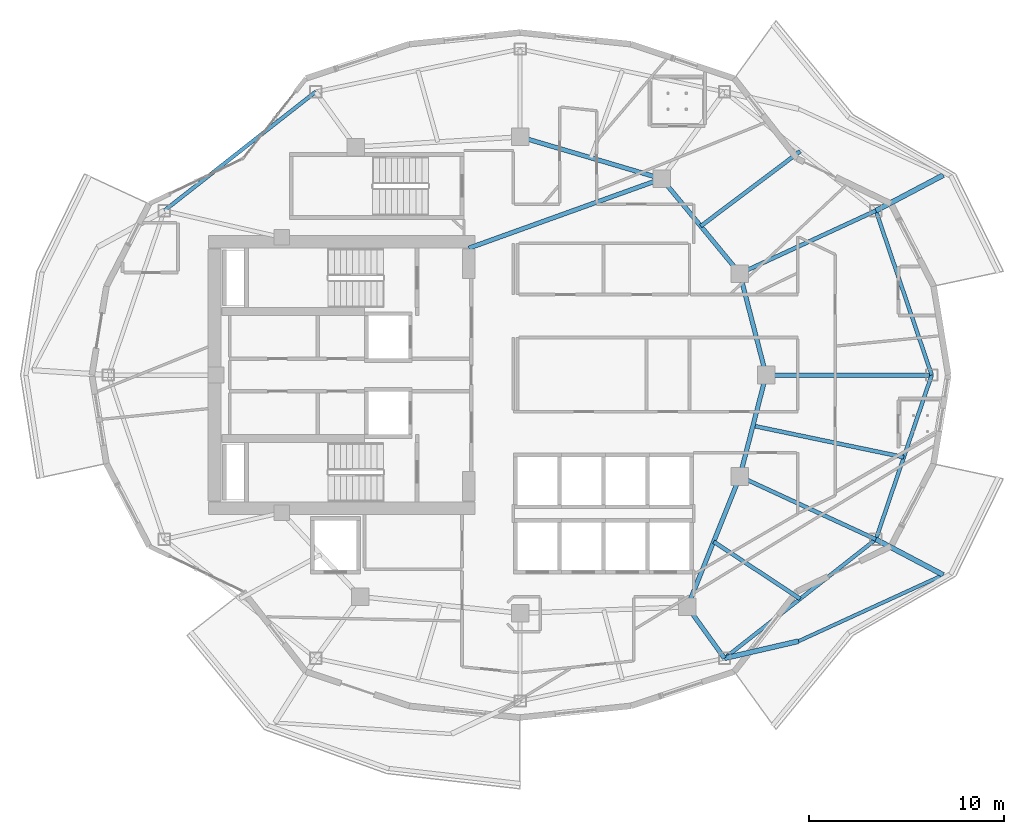
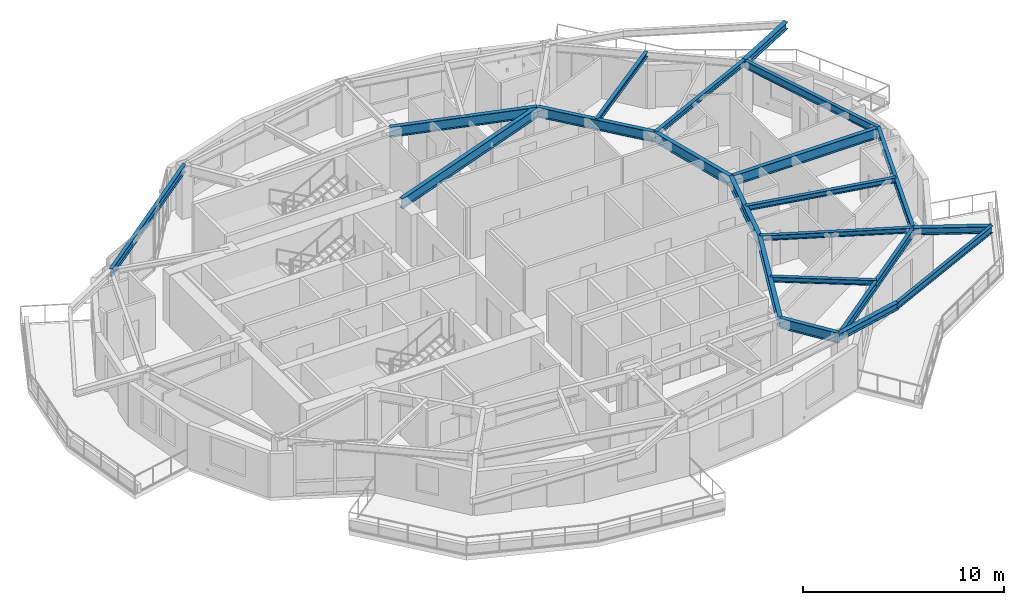
# One storey, part 4 of 16: 21 beams.
"""IFC4 building model written with IfcOpenShell, lengths in metres."""

import ifcopenshell
import ifcopenshell.guid

model = None  # the IFC model being written
_history = None  # IfcOwnerHistory: only IFC2X3 demands one
_inside = {}  # id of a spatial element -> (the spatial element, [elements in it])
_under = {}  # id of a project, library or spatial element -> (it, [spatial elements below it])
_declared = {}  # id of a project -> (the project, [libraries it declares])
_typed = {}  # id of a type object -> (the type object, [elements of that type])
_made_of = {}  # id of a material, layer set ... -> (it, [elements and type objects made of it])


def new_model(schema):
    """Start an empty IFC model of exactly this schema.

    Asked for "IFC4X3", IfcOpenShell would pick the latest addendum, in which some entities
    have other attributes; the version numbers below select the first issue.
    IFC2X3 requires an IfcOwnerHistory on every rooted entity: one is made here for all.
    """
    global model, _history
    if schema == "IFC4X3":
        model = ifcopenshell.file(schema_version=(4, 3, 0, 0))
    else:
        model = ifcopenshell.file(schema=schema)
    _inside.clear()
    _under.clear()
    _declared.clear()
    _typed.clear()
    _made_of.clear()
    _history = None
    if model.schema == "IFC2X3":
        org = make("IfcOrganization", Name="unknown")
        user = make(
            "IfcPersonAndOrganization",
            ThePerson=make("IfcPerson", FamilyName="unknown"),
            TheOrganization=org,
        )
        app = make(
            "IfcApplication",
            ApplicationDeveloper=org,
            Version="unknown",
            ApplicationFullName="unknown",
            ApplicationIdentifier="unknown",
        )
        _history = make(
            "IfcOwnerHistory",
            OwningUser=user,
            OwningApplication=app,
            ChangeAction="ADDED",
            CreationDate=0,
        )
    return model


def make(cls, **values):
    """One entity of the class cls with the attributes given. An attribute that is None is left unset."""
    return model.create_entity(
        cls, **{name: value for name, value in values.items() if value is not None}
    )


def rooted(cls, **values):
    """An entity with a GlobalId (a new one), such as an element, a storey or a relation."""
    return make(cls, GlobalId=ifcopenshell.guid.new(), OwnerHistory=_history, **values)


def si_unit(unit_type, name, prefix=None):
    """IfcSIUnit, for example si_unit("LENGTHUNIT", "METRE", prefix="MILLI")."""
    return make("IfcSIUnit", UnitType=unit_type, Prefix=prefix, Name=name)


def assignment(units):
    """IfcUnitAssignment: the units of a project."""
    return None if units is None else make("IfcUnitAssignment", Units=units)


def point(xyz):
    """IfcCartesianPoint."""
    return None if xyz is None else make("IfcCartesianPoint", Coordinates=xyz)


def direction(xyz):
    """IfcDirection."""
    return None if xyz is None else make("IfcDirection", DirectionRatios=xyz)


def frame(location, z_axis=None, x_axis=None):
    """IfcAxis2Placement3D, a coordinate frame: its origin and axes. An axis left out is left unset."""
    return make(
        "IfcAxis2Placement3D",
        Location=point(location),
        Axis=direction(z_axis),
        RefDirection=direction(x_axis),
    )


def frame_2d(location, x_axis=None):
    """IfcAxis2Placement2D, a coordinate frame in the plane: its origin and x axis."""
    return make(
        "IfcAxis2Placement2D", Location=point(location), RefDirection=direction(x_axis)
    )


def origin():
    """The frame at (0, 0, 0) with its axes left unset."""
    return frame((0.0, 0.0, 0.0))


def origin_2d():
    """The frame at (0, 0) in the plane with its x axis left unset."""
    return frame_2d((0.0, 0.0))


def place(relative_to, where):
    """IfcLocalPlacement: puts the frame where relative to a parent placement (None: the world)."""
    return make(
        "IfcLocalPlacement", PlacementRelTo=relative_to, RelativePlacement=where
    )


def context(
    kind, dimensions, precision=None, world=None, true_north=None, identifier=None
):
    """IfcGeometricRepresentationContext, for example the 3D "Model" context."""
    return make(
        "IfcGeometricRepresentationContext",
        ContextIdentifier=identifier,
        ContextType=kind,
        CoordinateSpaceDimension=dimensions,
        Precision=precision,
        WorldCoordinateSystem=world,
        TrueNorth=true_north,
    )


def subcontext(parent, identifier, kind, view, scale=None):
    """IfcGeometricRepresentationSubContext, for example "Body" below "Model"."""
    return make(
        "IfcGeometricRepresentationSubContext",
        ContextIdentifier=identifier,
        ContextType=kind,
        ParentContext=parent,
        TargetScale=scale,
        TargetView=view,
    )


def project(units=None, contexts=None):
    """IfcProject with its units and contexts."""
    return rooted(
        "IfcProject",
        Name="project",
        RepresentationContexts=contexts,
        UnitsInContext=assignment(units),
    )


def spatial(cls, under=None, at=None, **own):
    """A site, building, storey or space (cls), placed at a placement, below another one or the project."""
    s = rooted(cls, ObjectPlacement=at, **own)
    if under is not None:
        _under.setdefault(under.id(), (under, []))[1].append(s)
    return s


def profile(cls, at=None, kind="AREA", **sizes):
    """A parametric profile (cls). Its sizes go by their IFC names, for example OverallWidth=200.0."""
    return make(cls, ProfileType=kind, Position=at, **sizes)


def i_section(**sizes):
    """IfcIShapeProfileDef."""
    return profile("IfcIShapeProfileDef", **sizes)


def extrude(swept, where, along, depth):
    """IfcExtrudedAreaSolid: the profile swept, set in the frame where, extruded along a direction by depth."""
    return make(
        "IfcExtrudedAreaSolid",
        SweptArea=swept,
        Position=where,
        ExtrudedDirection=direction(along),
        Depth=depth,
    )


def shape(context_of_items, identifier, shape_type, items):
    """IfcShapeRepresentation: the items that make up one representation, for example the "Body"."""
    return make(
        "IfcShapeRepresentation",
        ContextOfItems=context_of_items,
        RepresentationIdentifier=identifier,
        RepresentationType=shape_type,
        Items=items,
    )


def material(Name=None, Category=None):
    """IfcMaterial."""
    return make("IfcMaterial", Name=Name, Category=Category)


def material_profile(
    of_material, cross_section, Name=None, Category=None, Priority=None
):
    """IfcMaterialProfile: a cross section and its material."""
    return make(
        "IfcMaterialProfile",
        Name=Name,
        Material=of_material,
        Profile=cross_section,
        Priority=Priority,
        Category=Category,
    )


def profile_set(profiles, Name=None, composite=None):
    """IfcMaterialProfileSet."""
    return make(
        "IfcMaterialProfileSet",
        Name=Name,
        MaterialProfiles=profiles,
        CompositeProfile=composite,
    )


def made_of(thing, what):
    """Note that an element or type object is made of a material, layer set ...; save() writes the relation."""
    if what is not None:
        _made_of.setdefault(what.id(), (what, []))[1].append(thing)
    return thing


def type_object(cls, material=None, **own):
    """A type object (cls), such as IfcWallType, which elements share."""
    return made_of(rooted(cls, **own), material)


def element(
    cls,
    number,
    at=None,
    inside=None,
    cuts=None,
    type_object=None,
    material=None,
    context=None,
    identifier="Body",
    shape_type=None,
    held_by="IfcProductDefinitionShape",
    body=None,
    shapes=None,
    **own,
):
    """One element of the class cls, such as IfcWall. Its Tag is "e" and its number.

    at: its placement. inside: the storey or other place that contains it. cuts: it is an
    opening in that element (IfcRelVoidsElement). A single representation is given by context,
    identifier, shape_type and body (its items); several are given by shapes. held_by: the class
    of the entity that holds the representations. save() writes the other relations.
    """
    e = rooted(cls, Tag="e%d" % number, ObjectPlacement=at, **own)
    if body is not None:
        shapes = [shape(context, identifier, shape_type, body)]
    if shapes is not None:
        e.Representation = make(held_by, Representations=shapes)
    if inside is not None:
        _inside.setdefault(inside.id(), (inside, []))[1].append(e)
    if cuts is not None:
        rooted(
            "IfcRelVoidsElement", RelatingBuildingElement=cuts, RelatedOpeningElement=e
        )
    if type_object is not None:
        _typed.setdefault(type_object.id(), (type_object, []))[1].append(e)
    return made_of(e, material)


def aggregate(whole, parts):
    """IfcRelAggregates: a whole, such as a stair, and the parts it consists of."""
    return rooted("IfcRelAggregates", RelatingObject=whole, RelatedObjects=parts)


def save(model, path):
    """Write the relations noted so far, then the file.

    IfcRelAggregates (storeys below a building ...), IfcRelContainedInSpatialStructure (elements
    in a storey), IfcRelDefinesByType, IfcRelAssociatesMaterial and IfcRelDeclares: one each for
    every whole, place, type object, material and project.
    """
    for whole, parts in _under.values():
        aggregate(whole, parts)
    for where, things in _inside.values():
        rooted(
            "IfcRelContainedInSpatialStructure",
            RelatedElements=things,
            RelatingStructure=where,
        )
    for kind, things in _typed.values():
        rooted("IfcRelDefinesByType", RelatedObjects=things, RelatingType=kind)
    for what, things in _made_of.values():
        rooted("IfcRelAssociatesMaterial", RelatedObjects=things, RelatingMaterial=what)
    for by, libraries in _declared.values():
        rooted("IfcRelDeclares", RelatingContext=by, RelatedDefinitions=libraries)
    model.write(path)


model = new_model("IFC4")

# Units and contexts
model_context = context("Model", 3, precision=1e-05, world=origin(), true_north=direction((0.0, 1.0)))
body_context = subcontext(model_context, "Body", "Model", "MODEL_VIEW")
ifc_project = project(units=[si_unit("LENGTHUNIT", "METRE"), si_unit("AREAUNIT", "SQUARE_METRE"), si_unit("VOLUMEUNIT", "CUBIC_METRE"), si_unit("PLANEANGLEUNIT", "RADIAN"), si_unit("MASSUNIT", "GRAM", prefix="KILO")], contexts=[model_context])

# Site, building, storey
site_placement = place(None, origin())
site = spatial("IfcSite", under=ifc_project, at=site_placement, CompositionType="ELEMENT")
building_placement = place(site_placement, origin())
building = spatial("IfcBuilding", under=site, at=building_placement, Name="Kolvaren Gate Tower and Convention Centre", CompositionType="ELEMENT")
storey_placement = place(building_placement, frame((0.0, 0.0, 149.5)))
storey = spatial("IfcBuildingStorey", under=building, at=storey_placement, Name="L38", CompositionType="ELEMENT", Elevation=149.5)

# Beams
ifc_material = material(Name="Structural steel ASTM A992 Grade 345 MPa", Category="steel")
ifc_material_profile_1 = material_profile(ifc_material, i_section(OverallWidth=0.260009765625, OverallDepth=0.419921875, WebThickness=0.013427734375, FlangeThickness=0.0224609375, at=origin_2d()), Name="W410X132")
ifc_profile_set_1 = profile_set([ifc_material_profile_1], Name="Structural steel ASTM A992 Grade 345 MPa")
beam_type_1 = type_object("IfcBeamType", Name="STR-BM-W410X132", PredefinedType="BEAM", material=ifc_profile_set_1)
for number, where, z_axis, x_axis, name in (
    (1, (48.351806640625, 35.418701171875, 2.92041015625), (0.884317267836, 0.466886463508, 0.0), (-0.466886463508, 0.884317267836, 0.0), "Tower L39 Planted Balcony Outrigger Cantilever BC-1A"),
    (2, (40.596435546875, 12.490478515625, 2.92041015625), (0.974390140605, 0.224864078706, 0.0), (-0.224864078706, 0.974390140605, 0.0), "Tower L39 Planted Balcony Outrigger Cantilever BC-4A"),
    (3, (48.351806640625, 18.581298828125, 2.92041015625), (0.884317267836, -0.466886463508, 0.0), (0.466886463508, 0.884317267836, 0.0), "Tower L39 Planted Balcony Outrigger Cantilever BC-4B"),
):
    element("IfcBeam", number, at=place(storey_placement, frame(where, z_axis=z_axis, x_axis=x_axis)), inside=storey, type_object=beam_type_1, Name=name, PredefinedType="BEAM", context=body_context, shape_type="SweptSolid", body=[
        extrude(i_section(OverallWidth=0.260009765625, OverallDepth=0.419921875, WebThickness=0.013427734375, FlangeThickness=0.0224609375, at=origin_2d()), origin(), (0.0, 0.0, 1.0), 3.89990234375),
    ])
ifc_material_profile_2 = material_profile(ifc_material, i_section(OverallWidth=0.22998046875, OverallDepth=0.616943359375, WebThickness=0.01318359375, FlangeThickness=0.022216796875, at=origin_2d()), Name="W610X140")
ifc_profile_set_2 = profile_set([ifc_material_profile_2], Name="Structural steel ASTM A992 Grade 345 MPa")
beam_type_2 = type_object("IfcBeamType", Name="STR-BM-W610X140", PredefinedType="BEAM", material=ifc_profile_set_2)
beam_1_placement = place(storey_placement, frame((42.72509765625, 27.0, 2.821533203125), z_axis=(-0.250091133936, -0.968222301296, 0.0), x_axis=(0.968222301296, -0.250091133936, 0.0)))
element("IfcBeam", 4, at=beam_1_placement, inside=storey, type_object=beam_type_2, Name="Tower L38 Primary Ring Girder G-01", PredefinedType="BEAM", context=body_context, shape_type="SweptSolid", body=[
    extrude(i_section(OverallWidth=0.22998046875, OverallDepth=0.616943359375, WebThickness=0.01318359375, FlangeThickness=0.022216796875, at=origin_2d()), origin(), (0.0, 0.0, 1.0), 5.3701171875),
])
beam_2_placement = place(storey_placement, frame((41.382080078125, 32.199462890625, 2.821533203125), z_axis=(-0.635884066011, 0.771784590798, 0.0), x_axis=(-0.771784590798, -0.635884066011, 0.0)))
element("IfcBeam", 5, at=beam_2_placement, inside=storey, type_object=beam_type_2, Name="Tower L38 Primary Ring Girder G-02", PredefinedType="BEAM", context=body_context, shape_type="SweptSolid", body=[
    extrude(i_section(OverallWidth=0.22998046875, OverallDepth=0.616943359375, WebThickness=0.01318359375, FlangeThickness=0.022216796875, at=origin_2d()), origin(), (0.0, 0.0, 1.0), 6.291259765625),
])
beam_3_placement = place(storey_placement, frame((37.381591796875, 37.054931640625, 2.821533203125), z_axis=(-0.958980837827, 0.283470902706, 0.0), x_axis=(-0.283470902706, -0.958980837827, 0.0)))
element("IfcBeam", 6, at=beam_3_placement, inside=storey, type_object=beam_type_2, Name="Tower L38 Primary Ring Girder G-03", PredefinedType="BEAM", context=body_context, shape_type="SweptSolid", body=[
    extrude(i_section(OverallWidth=0.22998046875, OverallDepth=0.616943359375, WebThickness=0.01318359375, FlangeThickness=0.022216796875, at=origin_2d()), origin(), (0.0, 0.0, 1.0), 7.56689453125),
])
beam_4_placement = place(storey_placement, frame((38.6982421875, 15.12060546875, 2.821533203125), z_axis=(0.372811100169, 0.927907260232, 0.0), x_axis=(-0.927907260232, 0.372811100169, 0.0)))
element("IfcBeam", 7, at=beam_4_placement, inside=storey, type_object=beam_type_2, Name="Tower L38 Primary Ring Girder G-09", PredefinedType="BEAM", context=body_context, shape_type="SweptSolid", body=[
    extrude(i_section(OverallWidth=0.22998046875, OverallDepth=0.616943359375, WebThickness=0.01318359375, FlangeThickness=0.022216796875, at=origin_2d()), origin(), (0.0, 0.0, 1.0), 7.198974609375),
])
beam_5_placement = place(storey_placement, frame((27.5, 33.5, 2.821533203125), z_axis=(0.940961479908, 0.338513653093, 0.0), x_axis=(-0.338513653093, 0.940961479908, 0.0)))
element("IfcBeam", 8, at=beam_5_placement, inside=storey, type_object=beam_type_2, Name="Tower L38 Primary Ring Girder G-10", PredefinedType="BEAM", context=body_context, shape_type="SweptSolid", body=[
    extrude(i_section(OverallWidth=0.22998046875, OverallDepth=0.616943359375, WebThickness=0.01318359375, FlangeThickness=0.022216796875, at=origin_2d()), origin(), (0.0, 0.0, 1.0), 10.501708984375),
])
beam_6_placement = place(storey_placement, frame((42.72509765625, 27.0, 2.821533203125), z_axis=(-0.250091133936, 0.968222301296, 0.0), x_axis=(-0.968222301296, -0.250091133936, 0.0)))
element("IfcBeam", 9, at=beam_6_placement, inside=storey, type_object=beam_type_2, Name="Tower L38 Primary Ring Girder G-12", PredefinedType="BEAM", context=body_context, shape_type="SweptSolid", body=[
    extrude(i_section(OverallWidth=0.22998046875, OverallDepth=0.616943359375, WebThickness=0.01318359375, FlangeThickness=0.022216796875, at=origin_2d()), origin(), (0.0, 0.0, 1.0), 5.3701171875),
])
beam_7_placement = place(storey_placement, frame((42.72509765625, 27.0, 2.821533203125), z_axis=(1.0, 0.0, 0.0), x_axis=(0.0, 1.0, 0.0)))
element("IfcBeam", 10, at=beam_7_placement, inside=storey, type_object=beam_type_2, Name="Tower L38 Radial Floor Girder RB-01", PredefinedType="BEAM", context=body_context, shape_type="SweptSolid", body=[
    extrude(i_section(OverallWidth=0.22998046875, OverallDepth=0.616943359375, WebThickness=0.01318359375, FlangeThickness=0.022216796875, at=origin_2d()), origin(), (0.0, 0.0, 1.0), 8.4873046875),
])
beam_8_placement = place(storey_placement, frame((38.6982421875, 15.12060546875, 2.821533203125), z_axis=(0.58521845229, -0.810875676722, 0.0), x_axis=(0.810875676722, 0.58521845229, 0.0)))
element("IfcBeam", 11, at=beam_8_placement, inside=storey, type_object=beam_type_2, Name="Tower L38 Radial Floor Girder RB-11", PredefinedType="BEAM", context=body_context, shape_type="SweptSolid", body=[
    extrude(i_section(OverallWidth=0.22998046875, OverallDepth=0.616943359375, WebThickness=0.01318359375, FlangeThickness=0.022216796875, at=origin_2d()), origin(), (0.0, 0.0, 1.0), 3.24365234375),
])
ifc_material_profile_3 = material_profile(ifc_material, i_section(OverallWidth=0.205078125, OverallDepth=0.31005859375, WebThickness=0.009521484375, FlangeThickness=0.016357421875, at=origin_2d()), Name="W310X74")
ifc_profile_set_3 = profile_set([ifc_material_profile_3], Name="Structural steel ASTM A992 Grade 345 MPa")
beam_type_3 = type_object("IfcBeamType", Name="STR-JS-W310X74", PredefinedType="JOIST", material=ifc_profile_set_3)
for number, where, z_axis, x_axis, name in (
    (12, (41.382080078125, 32.199462890625, 2.97509765625), (0.907838349939, 0.419320319542, 0.0), (-0.419320319542, 0.907838349939, 0.0), "Tower L38 Radial Floor Girder RB-02"),
    (13, (41.382080078125, 21.800537109375, 2.97509765625), (0.907838349939, -0.419320319542, 0.0), (0.419320319542, 0.907838349939, 0.0), "Tower L38 Radial Floor Girder RB-12"),
):
    element("IfcBeam", number, at=place(storey_placement, frame(where, z_axis=z_axis, x_axis=x_axis)), inside=storey, type_object=beam_type_3, Name=name, PredefinedType="JOIST", context=body_context, shape_type="SweptSolid", body=[
        extrude(i_section(OverallWidth=0.205078125, OverallDepth=0.31005859375, WebThickness=0.009521484375, FlangeThickness=0.016357421875, at=origin_2d()), origin(), (0.0, 0.0, 1.0), 7.67724609375),
    ])
beam_9_placement = place(storey_placement, frame((39.3818359375, 34.627197265625, 2.97509765625), z_axis=(0.798665513939, 0.601775204577, 0.0), x_axis=(-0.601775204577, 0.798665513939, 0.0)))
element("IfcBeam", 14, at=beam_9_placement, inside=storey, type_object=beam_type_3, Name="Tower L38 Secondary Composite Floor Joist J-02.1", PredefinedType="JOIST", context=body_context, shape_type="SweptSolid", body=[
    extrude(i_section(OverallWidth=0.205078125, OverallDepth=0.31005859375, WebThickness=0.009521484375, FlangeThickness=0.016357421875, at=origin_2d()), origin(), (0.0, 0.0, 1.0), 6.3759765625),
])
beam_10_placement = place(storey_placement, frame((40.040283203125, 18.46044921875, 2.97509765625), z_axis=(0.834762790112, -0.550609738602, 0.0), x_axis=(0.550609738602, 0.834762790112, 0.0)))
element("IfcBeam", 15, at=beam_10_placement, inside=storey, type_object=beam_type_3, Name="Tower L38 Secondary Composite Floor Joist J-11.1", PredefinedType="JOIST", context=body_context, shape_type="SweptSolid", body=[
    extrude(i_section(OverallWidth=0.205078125, OverallDepth=0.31005859375, WebThickness=0.009521484375, FlangeThickness=0.016357421875, at=origin_2d()), origin(), (0.0, 0.0, 1.0), 5.3115234375),
])
beam_11_placement = place(storey_placement, frame((42.0537109375, 24.400146484375, 2.97509765625), z_axis=(0.978997655145, -0.203871506641, 0.0), x_axis=(0.203871506641, 0.978997655145, 0.0)))
element("IfcBeam", 16, at=beam_11_placement, inside=storey, type_object=beam_type_3, Name="Tower L38 Secondary Composite Floor Joist J-12.1", PredefinedType="JOIST", context=body_context, shape_type="SweptSolid", body=[
    extrude(i_section(OverallWidth=0.205078125, OverallDepth=0.31005859375, WebThickness=0.009521484375, FlangeThickness=0.016357421875, at=origin_2d()), origin(), (0.0, 0.0, 1.0), 7.89404296875),
])
ifc_material_profile_4 = material_profile(ifc_material, i_section(OverallWidth=0.180908203125, OverallDepth=0.4169921875, WebThickness=0.010986328125, FlangeThickness=0.018310546875, at=origin_2d()), Name="W410X85")
ifc_profile_set_4 = profile_set([ifc_material_profile_4], Name="Structural steel ASTM A992 Grade 345 MPa")
beam_type_4 = type_object("IfcBeamType", Name="STR-SP-W410X85", PredefinedType="SPANDREL", material=ifc_profile_set_4)
beam_12_placement = place(storey_placement, frame((44.396484375, 13.367431640625, 2.922119140625), z_axis=(0.909086110351, 0.416608262, 0.0), x_axis=(-0.416608262, 0.909086110351, 0.0)))
element("IfcBeam", 17, at=beam_12_placement, inside=storey, type_object=beam_type_4, Name="Tower L39 Planted Balcony Header Tie Beam BT-4", PredefinedType="SPANDREL", context=body_context, shape_type="SweptSolid", body=[
    extrude(i_section(OverallWidth=0.180908203125, OverallDepth=0.4169921875, WebThickness=0.010986328125, FlangeThickness=0.018310546875, at=origin_2d()), origin(), (0.0, 0.0, 1.0), 8.14453125),
])
ifc_material_profile_5 = material_profile(ifc_material, i_section(OverallWidth=0.194091796875, OverallDepth=0.468994140625, WebThickness=0.0126953125, FlangeThickness=0.0205078125, at=origin_2d()), Name="W460X106")
ifc_profile_set_5 = profile_set([ifc_material_profile_5], Name="Structural steel ASTM A992 Grade 345 MPa")
beam_type_5 = type_object("IfcBeamType", Name="STR-SP-W460X106", PredefinedType="SPANDREL", material=ifc_profile_set_5)
beam_13_placement = place(storey_placement, frame((51.21240234375, 27.0, 2.8955078125), z_axis=(-0.321725023609, 0.946833147489, 0.0), x_axis=(-0.946833147489, -0.321725023609, 0.0)))
element("IfcBeam", 18, at=beam_13_placement, inside=storey, type_object=beam_type_5, Name="Tower L38 Perimeter Spandrel Beam SP-01", PredefinedType="SPANDREL", context=body_context, shape_type="SweptSolid", body=[
    extrude(i_section(OverallWidth=0.194091796875, OverallDepth=0.468994140625, WebThickness=0.0126953125, FlangeThickness=0.0205078125, at=origin_2d()), origin(), (0.0, 0.0, 1.0), 8.891357421875),
])
for number, where, z_axis, x_axis, name in (
    (19, (19.65380859375, 41.509521484375, 2.8955078125), (-0.786460066421, -0.617641128752, 0.0), (0.617641128752, -0.786460066421, 0.0), "Tower L38 Perimeter Spandrel Beam SP-05"),
    (20, (40.596435546875, 12.490478515625, 2.8955078125), (0.786450621777, 0.617653154697, 0.0), (-0.617653154697, 0.786450621777, 0.0), "Tower L38 Perimeter Spandrel Beam SP-11"),
):
    element("IfcBeam", number, at=place(storey_placement, frame(where, z_axis=z_axis, x_axis=x_axis)), inside=storey, type_object=beam_type_5, Name=name, PredefinedType="SPANDREL", context=body_context, shape_type="SweptSolid", body=[
        extrude(i_section(OverallWidth=0.194091796875, OverallDepth=0.468994140625, WebThickness=0.0126953125, FlangeThickness=0.0205078125, at=origin_2d()), origin(), (0.0, 0.0, 1.0), 9.861328125),
    ])
beam_14_placement = place(storey_placement, frame((48.351806640625, 18.581298828125, 2.8955078125), z_axis=(0.321725023609, 0.946833147489, 0.0), x_axis=(-0.946833147489, 0.321725023609, 0.0)))
element("IfcBeam", 21, at=beam_14_placement, inside=storey, type_object=beam_type_5, Name="Tower L38 Perimeter Spandrel Beam SP-12", PredefinedType="SPANDREL", context=body_context, shape_type="SweptSolid", body=[
    extrude(i_section(OverallWidth=0.194091796875, OverallDepth=0.468994140625, WebThickness=0.0126953125, FlangeThickness=0.0205078125, at=origin_2d()), origin(), (0.0, 0.0, 1.0), 8.891357421875),
])

save(model, "model.ifc")
